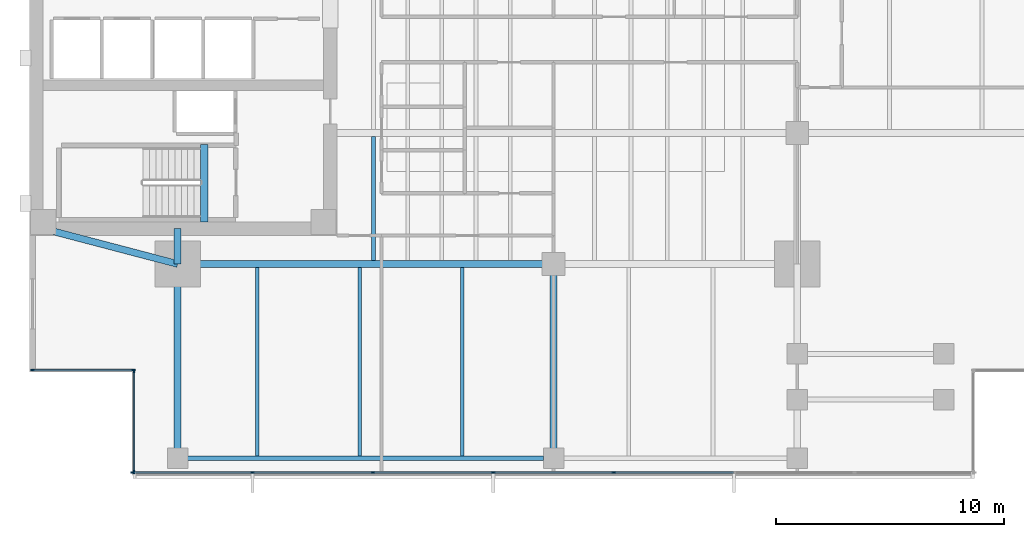
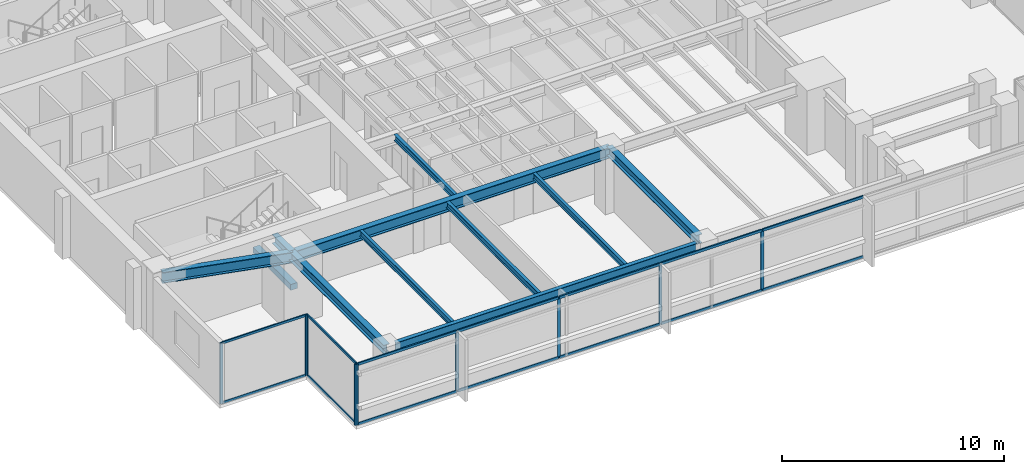
# One storey, part 2 of 15: 23 members, 11 beams, 3 elements without a shape of their own.
"""IFC4 building model written with IfcOpenShell, lengths in metres."""

from ifc_helpers import new_model, si_unit, direction, frame, origin, origin_2d, place, context, subcontext, project, spatial, rectangle, i_section, extrude, material, layer, layer_set, material_profile, profile_set, type_object, element, aggregate, save


model = new_model("IFC4")

# Units and contexts
model_context = context("Model", 3, precision=1e-05, world=origin(), true_north=direction((0.0, 1.0)))
body_context = subcontext(model_context, "Body", "Model", "MODEL_VIEW")
ifc_project = project(units=[si_unit("LENGTHUNIT", "METRE"), si_unit("AREAUNIT", "SQUARE_METRE"), si_unit("VOLUMEUNIT", "CUBIC_METRE"), si_unit("PLANEANGLEUNIT", "RADIAN"), si_unit("MASSUNIT", "GRAM", prefix="KILO")], contexts=[model_context])

# Site, building, storey
site_placement = place(None, origin())
site = spatial("IfcSite", under=ifc_project, at=site_placement, CompositionType="ELEMENT")
building_placement = place(site_placement, origin())
building = spatial("IfcBuilding", under=site, at=building_placement, Name="Kinhvarn Gate Tower", CompositionType="ELEMENT")
storey_placement = place(building_placement, frame((0.0, 0.0, 169.699951171875)))
storey = spatial("IfcBuildingStorey", under=building, at=storey_placement, Name="L45", CompositionType="ELEMENT", Elevation=169.699951171875)

# Beam
ifc_material_1 = material(Name="Concrete C50/60", Category="concrete")
ifc_material_profile_1 = material_profile(ifc_material_1, rectangle(XDim=0.340087890625, YDim=0.320068359375, at=origin_2d()), Name="RC 340x320")
ifc_profile_set_1 = profile_set([ifc_material_profile_1], Name="Concrete C50/60")
beam_type_1 = type_object("IfcBeamType", Name="BM-LND-500", PredefinedType="BEAM", material=ifc_profile_set_1)
beam_1_placement = place(storey_placement, frame((12.1650390625, 14.60009765625, -0.159912109375), z_axis=(0.0, 1.0, 0.0), x_axis=(-1.0, 0.0, 0.0)))
element("IfcBeam", 1, at=beam_1_placement, inside=storey, type_object=beam_type_1, Name="Stair ST1 Landing Nosing Beam (L45)", PredefinedType="BEAM", context=body_context, shape_type="SweptSolid", body=[
    extrude(rectangle(XDim=0.340087890625, YDim=0.320068359375, at=origin_2d()), origin(), (0.0, 0.0, 1.0), 3.39990234375),
])

# Curtain wall, members
ifc_material_2 = material(Name="Anodised aluminium AW-6063", Category="aluminium")
ifc_layer_1 = layer(ifc_material_2, 0.179931640625)
ifc_layer_set_1 = layer_set([ifc_layer_1], Name="Anodised aluminium AW-6063")
curtain_wall_type_1 = type_object("IfcCurtainWallType", Name="CW-SYS-3", PredefinedType="NOTDEFINED", material=ifc_layer_set_1)
curtain_wall_1_placement = place(storey_placement, origin())
curtain_wall_1 = element("IfcCurtainWall", 2, at=curtain_wall_1_placement, inside=storey, type_object=curtain_wall_type_1, Name="Curtain Wall CW3 (L45)", PredefinedType="NOTDEFINED")
ifc_material_profile_2 = material_profile(ifc_material_2, rectangle(XDim=0.06494140625, YDim=0.159912109375, at=origin_2d()), Name="ALU 65x160")
ifc_profile_set_2 = profile_set([ifc_material_profile_2], Name="Anodised aluminium AW-6063")
member_type_1 = type_object("IfcMemberType", Name="CW-MUL-160", PredefinedType="MULLION", material=ifc_profile_set_2)
member_1_placement = place(storey_placement, frame((9.032470703125, 3.590087890625, 0.0), z_axis=(0.0, 0.0, 1.0), x_axis=(0.0, 1.0, 0.0)))
member_1 = element("IfcMember", 3, at=member_1_placement, type_object=member_type_1, Name="CW3 mullion 1", PredefinedType="MULLION", context=body_context, shape_type="SweptSolid", body=[
    extrude(rectangle(XDim=0.06494140625, YDim=0.159912109375, at=origin_2d()), origin(), (0.0, 0.0, 1.0), 3.35009765625),
])
member_2_placement = place(storey_placement, frame((14.28564453125, 3.590087890625, 0.0), z_axis=(0.0, 0.0, 1.0), x_axis=(0.0, 1.0, 0.0)))
member_2 = element("IfcMember", 4, at=member_2_placement, type_object=member_type_1, Name="CW3 mullion 2", PredefinedType="MULLION", context=body_context, shape_type="SweptSolid", body=[
    extrude(rectangle(XDim=0.06494140625, YDim=0.159912109375, at=origin_2d()), origin(), (0.0, 0.0, 1.0), 3.35009765625),
])
member_3_placement = place(storey_placement, frame((19.571533203125, 3.590087890625, 0.0), z_axis=(0.0, 0.0, 1.0), x_axis=(0.0, 1.0, 0.0)))
member_3 = element("IfcMember", 5, at=member_3_placement, type_object=member_type_1, Name="CW3 mullion 3", PredefinedType="MULLION", context=body_context, shape_type="SweptSolid", body=[
    extrude(rectangle(XDim=0.06494140625, YDim=0.159912109375, at=origin_2d()), origin(), (0.0, 0.0, 1.0), 3.35009765625),
])
member_4_placement = place(storey_placement, frame((24.857177734375, 3.590087890625, 0.0), z_axis=(0.0, 0.0, 1.0), x_axis=(0.0, 1.0, 0.0)))
member_4 = element("IfcMember", 6, at=member_4_placement, type_object=member_type_1, Name="CW3 mullion 4", PredefinedType="MULLION", context=body_context, shape_type="SweptSolid", body=[
    extrude(rectangle(XDim=0.06494140625, YDim=0.159912109375, at=origin_2d()), origin(), (0.0, 0.0, 1.0), 3.35009765625),
])
member_5_placement = place(storey_placement, frame((30.142822265625, 3.590087890625, 0.0), z_axis=(0.0, 0.0, 1.0), x_axis=(0.0, 1.0, 0.0)))
member_5 = element("IfcMember", 7, at=member_5_placement, type_object=member_type_1, Name="CW3 mullion 5", PredefinedType="MULLION", context=body_context, shape_type="SweptSolid", body=[
    extrude(rectangle(XDim=0.06494140625, YDim=0.159912109375, at=origin_2d()), origin(), (0.0, 0.0, 1.0), 3.35009765625),
])

ifc_layer_2 = layer(ifc_material_2, 0.179931640625)
ifc_layer_set_2 = layer_set([ifc_layer_2], Name="Anodised aluminium AW-6063")
curtain_wall_type_2 = type_object("IfcCurtainWallType", Name="CW-SYS-4", PredefinedType="NOTDEFINED", material=ifc_layer_set_2)
curtain_wall_2_placement = place(storey_placement, origin())
curtain_wall_2 = element("IfcCurtainWall", 8, at=curtain_wall_2_placement, inside=storey, type_object=curtain_wall_type_2, Name="Curtain Wall CW4 (L45)", PredefinedType="NOTDEFINED")
member_6_placement = place(storey_placement, frame((4.62255859375, 8.090087890625, 0.0), z_axis=(0.0, 0.0, 1.0), x_axis=(0.0, 1.0, 0.0)))
member_6 = element("IfcMember", 9, at=member_6_placement, type_object=member_type_1, Name="CW4 mullion 1", PredefinedType="MULLION", context=body_context, shape_type="SweptSolid", body=[
    extrude(rectangle(XDim=0.06494140625, YDim=0.159912109375, at=origin_2d()), origin(), (0.0, 0.0, 1.0), 3.35009765625),
])
member_7_placement = place(storey_placement, frame((9.0576171875, 8.090087890625, 0.0), z_axis=(0.0, 0.0, 1.0), x_axis=(0.0, 1.0, 0.0)))
member_7 = element("IfcMember", 10, at=member_7_placement, type_object=member_type_1, Name="CW4 mullion 2", PredefinedType="MULLION", context=body_context, shape_type="SweptSolid", body=[
    extrude(rectangle(XDim=0.06494140625, YDim=0.159912109375, at=origin_2d()), origin(), (0.0, 0.0, 1.0), 3.35009765625),
])

curtain_wall_3_placement = place(storey_placement, origin())
curtain_wall_3 = element("IfcCurtainWall", 11, at=curtain_wall_3_placement, inside=storey, type_object=curtain_wall_type_2, Name="Curtain Wall CW4 (L45)", PredefinedType="NOTDEFINED")
member_8_placement = place(storey_placement, frame((9.090087890625, 8.0576171875, 0.0), z_axis=(0.0, 0.0, 1.0), x_axis=(1.0, 0.0, 0.0)))
member_8 = element("IfcMember", 12, at=member_8_placement, type_object=member_type_1, Name="CW4 mullion 1", PredefinedType="MULLION", context=body_context, shape_type="SweptSolid", body=[
    extrude(rectangle(XDim=0.06494140625, YDim=0.159912109375, at=origin_2d()), origin(), (0.0, 0.0, 1.0), 3.35009765625),
])
member_9_placement = place(storey_placement, frame((9.090087890625, 3.62255859375, 0.0), z_axis=(0.0, 0.0, 1.0), x_axis=(1.0, 0.0, 0.0)))
member_9 = element("IfcMember", 13, at=member_9_placement, type_object=member_type_1, Name="CW4 mullion 2", PredefinedType="MULLION", context=body_context, shape_type="SweptSolid", body=[
    extrude(rectangle(XDim=0.06494140625, YDim=0.159912109375, at=origin_2d()), origin(), (0.0, 0.0, 1.0), 3.35009765625),
])

# Member
ifc_material_profile_3 = material_profile(ifc_material_2, rectangle(XDim=0.06494140625, YDim=0.1201171875, at=origin_2d()), Name="ALU 65x120")
ifc_profile_set_3 = profile_set([ifc_material_profile_3], Name="Anodised aluminium AW-6063")
member_type_2 = type_object("IfcMemberType", Name="CW-TRN-120", PredefinedType="USERDEFINED", material=ifc_profile_set_3)
member_10_placement = place(storey_placement, frame((4.655029296875, 8.090087890625, 0.032470703125), z_axis=(1.0, 0.0, 0.0), x_axis=(0.0, 1.0, 0.0)))
member_10 = element("IfcMember", 14, at=member_10_placement, type_object=member_type_2, Name="CW4 transom 1.1", ObjectType="TRANSOM", PredefinedType="USERDEFINED", context=body_context, shape_type="SweptSolid", body=[
    extrude(rectangle(XDim=0.06494140625, YDim=0.1201171875, at=origin_2d()), origin(), (0.0, 0.0, 1.0), 4.369873046875),
])

member_11_placement = place(storey_placement, frame((4.655029296875, 8.090087890625, 3.317626953125), z_axis=(1.0, 0.0, 0.0), x_axis=(0.0, 1.0, 0.0)))
member_11 = element("IfcMember", 15, at=member_11_placement, type_object=member_type_2, Name="CW4 transom 1.2", ObjectType="TRANSOM", PredefinedType="USERDEFINED", context=body_context, shape_type="SweptSolid", body=[
    extrude(rectangle(XDim=0.06494140625, YDim=0.1201171875, at=origin_2d()), origin(), (0.0, 0.0, 1.0), 4.369873046875),
])

aggregate(curtain_wall_2, [member_6, member_7, member_10, member_11])

member_12_placement = place(storey_placement, frame((9.090087890625, 8.02490234375, 0.032470703125), z_axis=(0.0, -1.0, 0.0), x_axis=(1.0, 0.0, 0.0)))
member_12 = element("IfcMember", 16, at=member_12_placement, type_object=member_type_2, Name="CW4 transom 1.1", ObjectType="TRANSOM", PredefinedType="USERDEFINED", context=body_context, shape_type="SweptSolid", body=[
    extrude(rectangle(XDim=0.06494140625, YDim=0.1201171875, at=origin_2d()), origin(), (0.0, 0.0, 1.0), 4.369873046875),
])

member_13_placement = place(storey_placement, frame((9.090087890625, 8.02490234375, 3.317626953125), z_axis=(0.0, -1.0, 0.0), x_axis=(1.0, 0.0, 0.0)))
member_13 = element("IfcMember", 17, at=member_13_placement, type_object=member_type_2, Name="CW4 transom 1.2", ObjectType="TRANSOM", PredefinedType="USERDEFINED", context=body_context, shape_type="SweptSolid", body=[
    extrude(rectangle(XDim=0.06494140625, YDim=0.1201171875, at=origin_2d()), origin(), (0.0, 0.0, 1.0), 4.369873046875),
])

aggregate(curtain_wall_3, [member_8, member_9, member_12, member_13])

ifc_material_profile_4 = material_profile(ifc_material_2, rectangle(XDim=0.070068359375, YDim=0.139892578125, at=origin_2d()), Name="ALU 70x140")
ifc_profile_set_4 = profile_set([ifc_material_profile_4], Name="Anodised aluminium AW-6063")
member_type_3 = type_object("IfcMemberType", Name="CW-TRN-140", PredefinedType="USERDEFINED", material=ifc_profile_set_4)
member_14_placement = place(storey_placement, frame((9.06494140625, 3.590087890625, 0.03515625), z_axis=(1.0, 0.0, 0.0), x_axis=(0.0, 1.0, 0.0)))
member_14 = element("IfcMember", 18, at=member_14_placement, type_object=member_type_3, Name="CW3 transom 1.1", ObjectType="TRANSOM", PredefinedType="USERDEFINED", context=body_context, shape_type="SweptSolid", body=[
    extrude(rectangle(XDim=0.070068359375, YDim=0.139892578125, at=origin_2d()), origin(), (0.0, 0.0, 1.0), 5.188232421875),
])

member_15_placement = place(storey_placement, frame((9.06494140625, 3.590087890625, 3.31494140625), z_axis=(1.0, 0.0, 0.0), x_axis=(0.0, 1.0, 0.0)))
member_15 = element("IfcMember", 19, at=member_15_placement, type_object=member_type_3, Name="CW3 transom 1.2", ObjectType="TRANSOM", PredefinedType="USERDEFINED", context=body_context, shape_type="SweptSolid", body=[
    extrude(rectangle(XDim=0.070068359375, YDim=0.139892578125, at=origin_2d()), origin(), (0.0, 0.0, 1.0), 5.188232421875),
])

member_16_placement = place(storey_placement, frame((14.318115234375, 3.590087890625, 0.03515625), z_axis=(1.0, 0.0, 0.0), x_axis=(0.0, 1.0, 0.0)))
member_16 = element("IfcMember", 20, at=member_16_placement, type_object=member_type_3, Name="CW3 transom 2.1", ObjectType="TRANSOM", PredefinedType="USERDEFINED", context=body_context, shape_type="SweptSolid", body=[
    extrude(rectangle(XDim=0.070068359375, YDim=0.139892578125, at=origin_2d()), origin(), (0.0, 0.0, 1.0), 5.220703125),
])

member_17_placement = place(storey_placement, frame((14.318115234375, 3.590087890625, 3.31494140625), z_axis=(1.0, 0.0, 0.0), x_axis=(0.0, 1.0, 0.0)))
member_17 = element("IfcMember", 21, at=member_17_placement, type_object=member_type_3, Name="CW3 transom 2.2", ObjectType="TRANSOM", PredefinedType="USERDEFINED", context=body_context, shape_type="SweptSolid", body=[
    extrude(rectangle(XDim=0.070068359375, YDim=0.139892578125, at=origin_2d()), origin(), (0.0, 0.0, 1.0), 5.220703125),
])

member_18_placement = place(storey_placement, frame((19.60400390625, 3.590087890625, 0.03515625), z_axis=(1.0, 0.0, 0.0), x_axis=(0.0, 1.0, 0.0)))
member_18 = element("IfcMember", 22, at=member_18_placement, type_object=member_type_3, Name="CW3 transom 3.1", ObjectType="TRANSOM", PredefinedType="USERDEFINED", context=body_context, shape_type="SweptSolid", body=[
    extrude(rectangle(XDim=0.070068359375, YDim=0.139892578125, at=origin_2d()), origin(), (0.0, 0.0, 1.0), 5.220703125),
])

member_19_placement = place(storey_placement, frame((19.60400390625, 3.590087890625, 3.31494140625), z_axis=(1.0, 0.0, 0.0), x_axis=(0.0, 1.0, 0.0)))
member_19 = element("IfcMember", 23, at=member_19_placement, type_object=member_type_3, Name="CW3 transom 3.2", ObjectType="TRANSOM", PredefinedType="USERDEFINED", context=body_context, shape_type="SweptSolid", body=[
    extrude(rectangle(XDim=0.070068359375, YDim=0.139892578125, at=origin_2d()), origin(), (0.0, 0.0, 1.0), 5.220703125),
])

member_20_placement = place(storey_placement, frame((24.8896484375, 3.590087890625, 0.03515625), z_axis=(1.0, 0.0, 0.0), x_axis=(0.0, 1.0, 0.0)))
member_20 = element("IfcMember", 24, at=member_20_placement, type_object=member_type_3, Name="CW3 transom 4.1", ObjectType="TRANSOM", PredefinedType="USERDEFINED", context=body_context, shape_type="SweptSolid", body=[
    extrude(rectangle(XDim=0.070068359375, YDim=0.139892578125, at=origin_2d()), origin(), (0.0, 0.0, 1.0), 5.220703125),
])

member_21_placement = place(storey_placement, frame((24.8896484375, 3.590087890625, 3.31494140625), z_axis=(1.0, 0.0, 0.0), x_axis=(0.0, 1.0, 0.0)))
member_21 = element("IfcMember", 25, at=member_21_placement, type_object=member_type_3, Name="CW3 transom 4.2", ObjectType="TRANSOM", PredefinedType="USERDEFINED", context=body_context, shape_type="SweptSolid", body=[
    extrude(rectangle(XDim=0.070068359375, YDim=0.139892578125, at=origin_2d()), origin(), (0.0, 0.0, 1.0), 5.220703125),
])

member_22_placement = place(storey_placement, frame((30.17529296875, 3.590087890625, 0.03515625), z_axis=(1.0, 0.0, 0.0), x_axis=(0.0, 1.0, 0.0)))
member_22 = element("IfcMember", 26, at=member_22_placement, type_object=member_type_3, Name="CW3 transom 5.1", ObjectType="TRANSOM", PredefinedType="USERDEFINED", context=body_context, shape_type="SweptSolid", body=[
    extrude(rectangle(XDim=0.070068359375, YDim=0.139892578125, at=origin_2d()), origin(), (0.0, 0.0, 1.0), 5.220703125),
])

member_23_placement = place(storey_placement, frame((30.17529296875, 3.590087890625, 3.31494140625), z_axis=(1.0, 0.0, 0.0), x_axis=(0.0, 1.0, 0.0)))
member_23 = element("IfcMember", 27, at=member_23_placement, type_object=member_type_3, Name="CW3 transom 5.2", ObjectType="TRANSOM", PredefinedType="USERDEFINED", context=body_context, shape_type="SweptSolid", body=[
    extrude(rectangle(XDim=0.070068359375, YDim=0.139892578125, at=origin_2d()), origin(), (0.0, 0.0, 1.0), 5.220703125),
])

aggregate(curtain_wall_1, [member_1, member_2, member_3, member_4, member_5, member_14, member_15, member_16, member_17, member_18, member_19, member_20, member_21, member_22, member_23])

# Beams
ifc_material_3 = material(Name="Steel S355", Category="steel")
ifc_material_profile_5 = material_profile(ifc_material_3, i_section(OverallWidth=0.300048828125, OverallDepth=0.5, WebThickness=0.014404296875, FlangeThickness=0.028076171875, at=origin_2d()), Name="HEB 500")
ifc_profile_set_5 = profile_set([ifc_material_profile_5], Name="Steel S355")
beam_type_2 = type_object("IfcBeamType", Name="STL-HEB500", PredefinedType="BEAM", material=ifc_profile_set_5)
beam_2_placement = place(storey_placement, frame((11.0, 4.219970703125, 3.10009765625), z_axis=(0.0, 1.0, 0.0), x_axis=(-1.0, 0.0, 0.0)))
element("IfcBeam", 28, at=beam_2_placement, inside=storey, type_object=beam_type_2, Name="Floor Beam PG-14 (L45 MCW-S)", PredefinedType="BEAM", context=body_context, shape_type="SweptSolid", body=[
    extrude(i_section(OverallWidth=0.300048828125, OverallDepth=0.5, WebThickness=0.014404296875, FlangeThickness=0.028076171875, at=origin_2d()), origin(), (0.0, 0.0, 1.0), 8.530029296875),
])
beam_3_placement = place(storey_placement, frame((11.0, 12.75, 3.10009765625), z_axis=(0.0, 1.0, 0.0), x_axis=(-1.0, 0.0, 0.0)))
element("IfcBeam", 29, at=beam_3_placement, inside=storey, type_object=beam_type_2, Name="Floor Beam PG-14 (L45 MCW-CS)", PredefinedType="BEAM", context=body_context, shape_type="SweptSolid", body=[
    extrude(i_section(OverallWidth=0.300048828125, OverallDepth=0.5, WebThickness=0.014404296875, FlangeThickness=0.028076171875, at=origin_2d()), origin(), (0.0, 0.0, 1.0), 1.550048828125),
])
beam_4_placement = place(storey_placement, frame((27.5, 4.655029296875, 3.10009765625), z_axis=(0.0, 1.0, 0.0), x_axis=(-1.0, 0.0, 0.0)))
element("IfcBeam", 30, at=beam_4_placement, inside=storey, type_object=beam_type_2, Name="Floor Beam PG-14 (L45 SP27-S-TIE)", PredefinedType="BEAM", context=body_context, shape_type="SweptSolid", body=[
    extrude(i_section(OverallWidth=0.300048828125, OverallDepth=0.5, WebThickness=0.014404296875, FlangeThickness=0.028076171875, at=origin_2d()), origin(), (0.0, 0.0, 1.0), 8.094970703125),
])
ifc_material_profile_6 = material_profile(ifc_material_3, i_section(OverallWidth=0.300048828125, OverallDepth=0.60009765625, WebThickness=0.015380859375, FlangeThickness=0.030029296875, at=origin_2d()), Name="HEB 600")
ifc_profile_set_6 = profile_set([ifc_material_profile_6], Name="Steel S355")
beam_type_3 = type_object("IfcBeamType", Name="STL-HEB600", PredefinedType="BEAM", material=ifc_profile_set_6)
beam_5_placement = place(storey_placement, frame((11.0, 12.75, 3.050048828125), z_axis=(1.0, 0.0, 0.0), x_axis=(0.0, 1.0, 0.0)))
element("IfcBeam", 31, at=beam_5_placement, inside=storey, type_object=beam_type_3, Name="Floor Beam PG-16 (L45 MG-S1)", PredefinedType="BEAM", context=body_context, shape_type="SweptSolid", body=[
    extrude(i_section(OverallWidth=0.300048828125, OverallDepth=0.60009765625, WebThickness=0.015380859375, FlangeThickness=0.030029296875, at=origin_2d()), origin(), (0.0, 0.0, 1.0), 16.5),
])
beam_6_placement = place(storey_placement, frame((5.10009765625, 14.300048828125, 3.050048828125), z_axis=(0.967177623957, -0.254101246979, 0.0), x_axis=(0.254101246979, 0.967177623957, 0.0)))
element("IfcBeam", 32, at=beam_6_placement, inside=storey, type_object=beam_type_3, Name="Floor Beam PG-16 (L45 MG-SW-DIAG)", PredefinedType="BEAM", context=body_context, shape_type="SweptSolid", body=[
    extrude(i_section(OverallWidth=0.300048828125, OverallDepth=0.60009765625, WebThickness=0.015380859375, FlangeThickness=0.030029296875, at=origin_2d()), origin(), (0.0, 0.0, 1.0), 6.10009765625),
])
ifc_material_profile_7 = material_profile(ifc_material_3, i_section(OverallWidth=0.159912109375, OverallDepth=0.330078125, WebThickness=0.007568359375, FlangeThickness=0.011474609375, at=origin_2d()), Name="IPE 330")
ifc_profile_set_7 = profile_set([ifc_material_profile_7], Name="Steel S355")
beam_type_4 = type_object("IfcBeamType", Name="STL-IPE330", PredefinedType="JOIST", material=ifc_profile_set_7)
beam_7_placement = place(storey_placement, frame((19.60009765625, 12.89990234375, 3.18505859375), z_axis=(0.0, 1.0, 0.0), x_axis=(-1.0, 0.0, 0.0)))
element("IfcBeam", 33, at=beam_7_placement, inside=storey, type_object=beam_type_4, Name="Floor Joist SB-03 (L45 JC-X196-0)", PredefinedType="JOIST", context=body_context, shape_type="SweptSolid", body=[
    extrude(i_section(OverallWidth=0.159912109375, OverallDepth=0.330078125, WebThickness=0.007568359375, FlangeThickness=0.011474609375, at=origin_2d()), origin(), (0.0, 0.0, 1.0), 5.4501953125),
])
for number, where, z_axis, x_axis, name in (
    (34, (14.5, 4.324951171875, 3.18505859375), (0.0, 1.0, 0.0), (-1.0, 0.0, 0.0), "Floor Joist SB-03 (L45 JS-X145)"),
    (35, (19.0, 4.324951171875, 3.18505859375), (0.0, 1.0, 0.0), (-1.0, 0.0, 0.0), "Floor Joist SB-03 (L45 JS-X190)"),
    (36, (23.5, 4.324951171875, 3.18505859375), (0.0, 1.0, 0.0), (-1.0, 0.0, 0.0), "Floor Joist SB-03 (L45 JS-X235)"),
):
    element("IfcBeam", number, at=place(storey_placement, frame(where, z_axis=z_axis, x_axis=x_axis)), inside=storey, type_object=beam_type_4, Name=name, PredefinedType="JOIST", context=body_context, shape_type="SweptSolid", body=[
        extrude(i_section(OverallWidth=0.159912109375, OverallDepth=0.330078125, WebThickness=0.007568359375, FlangeThickness=0.011474609375, at=origin_2d()), origin(), (0.0, 0.0, 1.0), 8.275146484375),
    ])
ifc_material_profile_8 = material_profile(ifc_material_3, i_section(OverallWidth=0.2099609375, OverallDepth=0.550048828125, WebThickness=0.010986328125, FlangeThickness=0.01708984375, at=origin_2d()), Name="IPE 550")
ifc_profile_set_8 = profile_set([ifc_material_profile_8], Name="Steel S355")
beam_type_5 = type_object("IfcBeamType", Name="STL-IPE550", PredefinedType="SPANDREL", material=ifc_profile_set_8)
beam_8_placement = place(storey_placement, frame((11.43505859375, 4.219970703125, 3.074951171875), z_axis=(1.0, 0.0, 0.0), x_axis=(0.0, 1.0, 0.0)))
element("IfcBeam", 37, at=beam_8_placement, inside=storey, type_object=beam_type_5, Name="Floor Spandrel SB-08 (L45 SP-S1)", PredefinedType="SPANDREL", context=body_context, shape_type="SweptSolid", body=[
    extrude(i_section(OverallWidth=0.2099609375, OverallDepth=0.550048828125, WebThickness=0.010986328125, FlangeThickness=0.01708984375, at=origin_2d()), origin(), (0.0, 0.0, 1.0), 15.6298828125),
])

save(model, "model.ifc")
